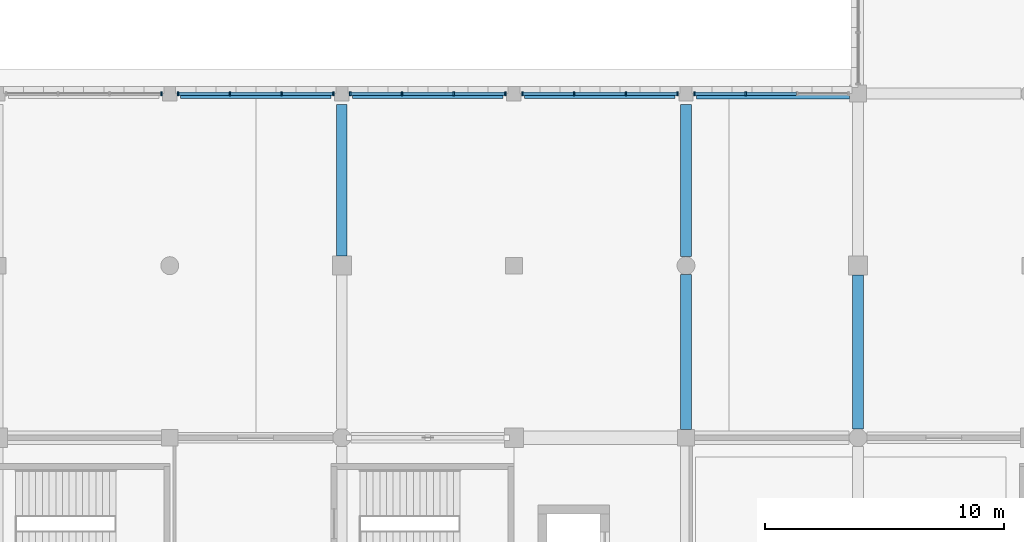
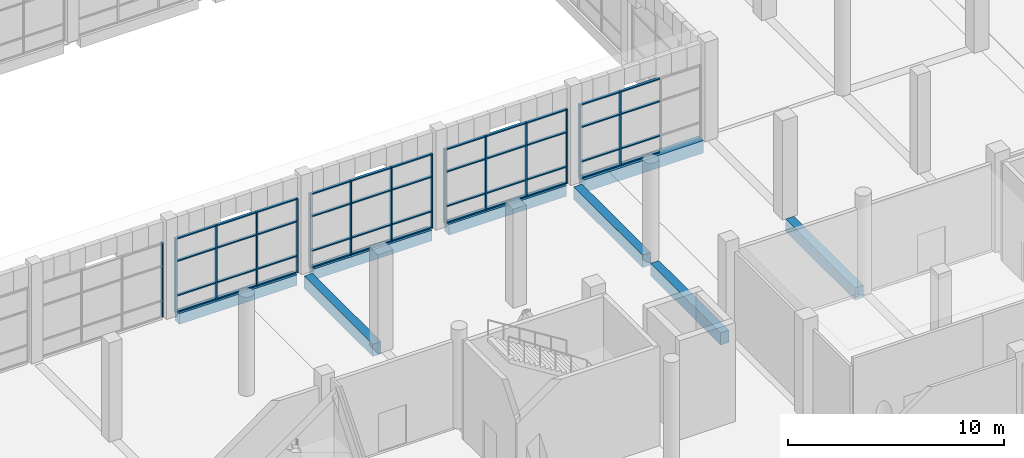
# One storey, part 18 of 80: 59 members, 8 beams, 5 elements without a shape of their own.
"""IFC4 building model written with IfcOpenShell, lengths in metres."""

from ifc_helpers import new_model, si_unit, direction, frame, origin, origin_2d, place, context, subcontext, project, spatial, rectangle, extrude, material, material_profile, profile_set, type_object, element, aggregate, save


model = new_model("IFC4")

# Units and contexts
model_context = context("Model", 3, precision=1e-05, world=origin(), true_north=direction((0.0, 1.0)))
body_context = subcontext(model_context, "Body", "Model", "MODEL_VIEW")
ifc_project = project(units=[si_unit("LENGTHUNIT", "METRE"), si_unit("AREAUNIT", "SQUARE_METRE"), si_unit("VOLUMEUNIT", "CUBIC_METRE"), si_unit("PLANEANGLEUNIT", "RADIAN"), si_unit("MASSUNIT", "GRAM", prefix="KILO")], contexts=[model_context])

# Site, building, storey
site_placement = place(None, origin())
site = spatial("IfcSite", under=ifc_project, at=site_placement, CompositionType="ELEMENT")
building_placement = place(site_placement, origin())
building = spatial("IfcBuilding", under=site, at=building_placement, Name="Sardonyx Promenade Sports Hall", CompositionType="ELEMENT")
storey_placement = place(building_placement, frame((0.0, 0.0, 5.60009765625)))
storey = spatial("IfcBuildingStorey", under=building, at=storey_placement, Name="L01", CompositionType="ELEMENT", Elevation=5.60009765625)

# Beams
ifc_material_1 = material(Name="Concrete C40/50", Category="concrete")
ifc_material_profile_1 = material_profile(ifc_material_1, rectangle(XDim=0.449951171875, YDim=0.699951171875, at=origin_2d()))
ifc_profile_set_1 = profile_set([ifc_material_profile_1], Name="Concrete C40/50")
beam_type_1 = type_object("IfcBeamType", Name="Bm_Primary_RC700", PredefinedType="BEAM", material=ifc_profile_set_1)
beam_1_placement = place(storey_placement, frame((86.85009765625, 43.199951171875, -0.35009765625), z_axis=(1.0, 0.0, 0.0), x_axis=(0.0, 1.0, 0.0)))
element("IfcBeam", 1, at=beam_1_placement, inside=storey, type_object=beam_type_1, Name="Beam BG01 L01 #240", PredefinedType="BEAM", context=body_context, shape_type="SweptSolid", body=[
    extrude(rectangle(XDim=0.449951171875, YDim=0.699951171875, at=origin_2d()), origin(), (0.0, 0.0, 1.0), 6.39990234375),
])
beam_2_placement = place(storey_placement, frame((72.0, 36.39990234375, -0.35009765625), z_axis=(0.0, 1.0, 0.0), x_axis=(-1.0, 0.0, 0.0)))
element("IfcBeam", 2, at=beam_2_placement, inside=storey, type_object=beam_type_1, Name="Beam BG01 L01 #344", PredefinedType="BEAM", context=body_context, shape_type="SweptSolid", body=[
    extrude(rectangle(XDim=0.449951171875, YDim=0.699951171875, at=origin_2d()), origin(), (0.0, 0.0, 1.0), 6.35009765625),
])
beam_3_placement = place(storey_placement, frame((86.39990234375, 29.14990234375, -0.35009765625), z_axis=(0.0, 1.0, 0.0), x_axis=(-1.0, 0.0, 0.0)))
element("IfcBeam", 3, at=beam_3_placement, inside=storey, type_object=beam_type_1, Name="Beam BG01 L01 #355", PredefinedType="BEAM", context=body_context, shape_type="SweptSolid", body=[
    extrude(rectangle(XDim=0.449951171875, YDim=0.699951171875, at=origin_2d()), origin(), (0.0, 0.0, 1.0), 6.47509765625),
])
beam_4_placement = place(storey_placement, frame((86.39990234375, 36.375, -0.35009765625), z_axis=(0.0, 1.0, 0.0), x_axis=(-1.0, 0.0, 0.0)))
element("IfcBeam", 4, at=beam_4_placement, inside=storey, type_object=beam_type_1, Name="Beam BG01 L01 #356", PredefinedType="BEAM", context=body_context, shape_type="SweptSolid", body=[
    extrude(rectangle(XDim=0.449951171875, YDim=0.699951171875, at=origin_2d()), origin(), (0.0, 0.0, 1.0), 6.375),
])
beam_5_placement = place(storey_placement, frame((93.60009765625, 29.175048828125, -0.35009765625), z_axis=(0.0, 1.0, 0.0), x_axis=(-1.0, 0.0, 0.0)))
element("IfcBeam", 5, at=beam_5_placement, inside=storey, type_object=beam_type_1, Name="Beam BG01 L01 #362", PredefinedType="BEAM", context=body_context, shape_type="SweptSolid", body=[
    extrude(rectangle(XDim=0.449951171875, YDim=0.699951171875, at=origin_2d()), origin(), (0.0, 0.0, 1.0), 6.425048828125),
])
ifc_material_2 = material(Name="Concrete C40/50", Category="concrete")
ifc_material_profile_2 = material_profile(ifc_material_2, rectangle(XDim=0.39990234375, YDim=0.60009765625, at=origin_2d()))
ifc_profile_set_2 = profile_set([ifc_material_profile_2], Name="Concrete C40/50")
beam_type_2 = type_object("IfcBeamType", Name="Bm_Spandrel_RC600", PredefinedType="SPANDREL", material=ifc_profile_set_2)
for number, where, z_axis, x_axis, name in (
    (6, (65.25, 43.199951171875, -0.300048828125), (1.0, 0.0, 0.0), (0.0, 1.0, 0.0), "Beam SPB1 L01 #237"),
    (7, (72.449951171875, 43.199951171875, -0.300048828125), (1.0, 0.0, 0.0), (0.0, 1.0, 0.0), "Beam SPB1 L01 #238"),
    (8, (79.64990234375, 43.199951171875, -0.300048828125), (1.0, 0.0, 0.0), (0.0, 1.0, 0.0), "Beam SPB1 L01 #239"),
):
    element("IfcBeam", number, at=place(storey_placement, frame(where, z_axis=z_axis, x_axis=x_axis)), inside=storey, type_object=beam_type_2, Name=name, PredefinedType="SPANDREL", context=body_context, shape_type="SweptSolid", body=[
        extrude(rectangle(XDim=0.39990234375, YDim=0.60009765625, at=origin_2d()), origin(), (0.0, 0.0, 1.0), 6.300048828125),
    ])

# Curtain wall, member
ifc_material_3 = material(Name="Aluminium 6063-T6", Category="aluminium")
curtain_wall_type = type_object("IfcCurtainWallType", Name="CW_Riwaq_L01_640", PredefinedType="USERDEFINED", material=ifc_material_3)
curtain_wall_1_placement = place(storey_placement, origin())
curtain_wall_1 = element("IfcCurtainWall", 9, at=curtain_wall_1_placement, inside=storey, type_object=curtain_wall_type, Name="Curtain wall CW18 cw:L01:130", ObjectType="CURTAIN WALL", PredefinedType="USERDEFINED")
ifc_material_4 = material(Name="Aluminium 6063-T6", Category="aluminium")
ifc_material_profile_3 = material_profile(ifc_material_4, rectangle(XDim=0.06494140625, YDim=0.175048828125, at=origin_2d()))
ifc_profile_set_3 = profile_set([ifc_material_profile_3], Name="Aluminium 6063-T6")
member_type_1 = type_object("IfcMemberType", Name="CW_Mull_175", PredefinedType="MULLION", material=ifc_profile_set_3)
member_1_placement = place(storey_placement, frame((64.447509765625, 43.199951171875, 0.0), z_axis=(0.0, 0.0, 1.0), x_axis=(1.0, 0.0, 0.0)))
member_1 = element("IfcMember", 10, at=member_1_placement, type_object=member_type_1, Name="Mullion CM02 cw:L01:130 #4", PredefinedType="MULLION", context=body_context, shape_type="SweptSolid", body=[
    extrude(rectangle(XDim=0.06494140625, YDim=0.175048828125, at=origin_2d()), origin(), (0.0, 0.0, 1.0), 4.199951171875),
])
aggregate(curtain_wall_1, [member_1])

# Curtain wall, members
curtain_wall_2_placement = place(storey_placement, origin())
curtain_wall_2 = element("IfcCurtainWall", 11, at=curtain_wall_2_placement, inside=storey, type_object=curtain_wall_type, Name="Curtain wall CW18 cw:L01:132", ObjectType="CURTAIN WALL", PredefinedType="USERDEFINED")
member_2_placement = place(storey_placement, frame((65.152587890625, 43.199951171875, 0.0), z_axis=(0.0, 0.0, 1.0), x_axis=(1.0, 0.0, 0.0)))
member_2 = element("IfcMember", 12, at=member_2_placement, type_object=member_type_1, Name="Mullion CM02 cw:L01:132 #1", PredefinedType="MULLION", context=body_context, shape_type="SweptSolid", body=[
    extrude(rectangle(XDim=0.06494140625, YDim=0.175048828125, at=origin_2d()), origin(), (0.0, 0.0, 1.0), 4.199951171875),
])
member_3_placement = place(storey_placement, frame((67.3173828125, 43.199951171875, 0.0), z_axis=(0.0, 0.0, 1.0), x_axis=(1.0, 0.0, 0.0)))
member_3 = element("IfcMember", 13, at=member_3_placement, type_object=member_type_1, Name="Mullion CM02 cw:L01:132 #2", PredefinedType="MULLION", context=body_context, shape_type="SweptSolid", body=[
    extrude(rectangle(XDim=0.06494140625, YDim=0.175048828125, at=origin_2d()), origin(), (0.0, 0.0, 1.0), 4.199951171875),
])
member_4_placement = place(storey_placement, frame((69.482421875, 43.199951171875, 0.0), z_axis=(0.0, 0.0, 1.0), x_axis=(1.0, 0.0, 0.0)))
member_4 = element("IfcMember", 14, at=member_4_placement, type_object=member_type_1, Name="Mullion CM02 cw:L01:132 #3", PredefinedType="MULLION", context=body_context, shape_type="SweptSolid", body=[
    extrude(rectangle(XDim=0.06494140625, YDim=0.175048828125, at=origin_2d()), origin(), (0.0, 0.0, 1.0), 4.199951171875),
])
member_5_placement = place(storey_placement, frame((71.6474609375, 43.199951171875, 0.0), z_axis=(0.0, 0.0, 1.0), x_axis=(1.0, 0.0, 0.0)))
member_5 = element("IfcMember", 15, at=member_5_placement, type_object=member_type_1, Name="Mullion CM02 cw:L01:132 #4", PredefinedType="MULLION", context=body_context, shape_type="SweptSolid", body=[
    extrude(rectangle(XDim=0.06494140625, YDim=0.175048828125, at=origin_2d()), origin(), (0.0, 0.0, 1.0), 4.199951171875),
])

curtain_wall_3_placement = place(storey_placement, origin())
curtain_wall_3 = element("IfcCurtainWall", 16, at=curtain_wall_3_placement, inside=storey, type_object=curtain_wall_type, Name="Curtain wall CW18 cw:L01:134", ObjectType="CURTAIN WALL", PredefinedType="USERDEFINED")
member_6_placement = place(storey_placement, frame((72.3525390625, 43.199951171875, 0.0), z_axis=(0.0, 0.0, 1.0), x_axis=(1.0, 0.0, 0.0)))
member_6 = element("IfcMember", 17, at=member_6_placement, type_object=member_type_1, Name="Mullion CM02 cw:L01:134 #1", PredefinedType="MULLION", context=body_context, shape_type="SweptSolid", body=[
    extrude(rectangle(XDim=0.06494140625, YDim=0.175048828125, at=origin_2d()), origin(), (0.0, 0.0, 1.0), 4.199951171875),
])
member_7_placement = place(storey_placement, frame((74.517578125, 43.199951171875, 0.0), z_axis=(0.0, 0.0, 1.0), x_axis=(1.0, 0.0, 0.0)))
member_7 = element("IfcMember", 18, at=member_7_placement, type_object=member_type_1, Name="Mullion CM02 cw:L01:134 #2", PredefinedType="MULLION", context=body_context, shape_type="SweptSolid", body=[
    extrude(rectangle(XDim=0.06494140625, YDim=0.175048828125, at=origin_2d()), origin(), (0.0, 0.0, 1.0), 4.199951171875),
])
member_8_placement = place(storey_placement, frame((76.6826171875, 43.199951171875, 0.0), z_axis=(0.0, 0.0, 1.0), x_axis=(1.0, 0.0, 0.0)))
member_8 = element("IfcMember", 19, at=member_8_placement, type_object=member_type_1, Name="Mullion CM02 cw:L01:134 #3", PredefinedType="MULLION", context=body_context, shape_type="SweptSolid", body=[
    extrude(rectangle(XDim=0.06494140625, YDim=0.175048828125, at=origin_2d()), origin(), (0.0, 0.0, 1.0), 4.199951171875),
])
member_9_placement = place(storey_placement, frame((78.847412109375, 43.199951171875, 0.0), z_axis=(0.0, 0.0, 1.0), x_axis=(1.0, 0.0, 0.0)))
member_9 = element("IfcMember", 20, at=member_9_placement, type_object=member_type_1, Name="Mullion CM02 cw:L01:134 #4", PredefinedType="MULLION", context=body_context, shape_type="SweptSolid", body=[
    extrude(rectangle(XDim=0.06494140625, YDim=0.175048828125, at=origin_2d()), origin(), (0.0, 0.0, 1.0), 4.199951171875),
])

curtain_wall_4_placement = place(storey_placement, origin())
curtain_wall_4 = element("IfcCurtainWall", 21, at=curtain_wall_4_placement, inside=storey, type_object=curtain_wall_type, Name="Curtain wall CW18 cw:L01:136", ObjectType="CURTAIN WALL", PredefinedType="USERDEFINED")
member_10_placement = place(storey_placement, frame((79.552490234375, 43.199951171875, 0.0), z_axis=(0.0, 0.0, 1.0), x_axis=(1.0, 0.0, 0.0)))
member_10 = element("IfcMember", 22, at=member_10_placement, type_object=member_type_1, Name="Mullion CM02 cw:L01:136 #1", PredefinedType="MULLION", context=body_context, shape_type="SweptSolid", body=[
    extrude(rectangle(XDim=0.06494140625, YDim=0.175048828125, at=origin_2d()), origin(), (0.0, 0.0, 1.0), 4.199951171875),
])
member_11_placement = place(storey_placement, frame((81.717529296875, 43.199951171875, 0.0), z_axis=(0.0, 0.0, 1.0), x_axis=(1.0, 0.0, 0.0)))
member_11 = element("IfcMember", 23, at=member_11_placement, type_object=member_type_1, Name="Mullion CM02 cw:L01:136 #2", PredefinedType="MULLION", context=body_context, shape_type="SweptSolid", body=[
    extrude(rectangle(XDim=0.06494140625, YDim=0.175048828125, at=origin_2d()), origin(), (0.0, 0.0, 1.0), 4.199951171875),
])
member_12_placement = place(storey_placement, frame((83.882568359375, 43.199951171875, 0.0), z_axis=(0.0, 0.0, 1.0), x_axis=(1.0, 0.0, 0.0)))
member_12 = element("IfcMember", 24, at=member_12_placement, type_object=member_type_1, Name="Mullion CM02 cw:L01:136 #3", PredefinedType="MULLION", context=body_context, shape_type="SweptSolid", body=[
    extrude(rectangle(XDim=0.06494140625, YDim=0.175048828125, at=origin_2d()), origin(), (0.0, 0.0, 1.0), 4.199951171875),
])
member_13_placement = place(storey_placement, frame((86.047607421875, 43.199951171875, 0.0), z_axis=(0.0, 0.0, 1.0), x_axis=(1.0, 0.0, 0.0)))
member_13 = element("IfcMember", 25, at=member_13_placement, type_object=member_type_1, Name="Mullion CM02 cw:L01:136 #4", PredefinedType="MULLION", context=body_context, shape_type="SweptSolid", body=[
    extrude(rectangle(XDim=0.06494140625, YDim=0.175048828125, at=origin_2d()), origin(), (0.0, 0.0, 1.0), 4.199951171875),
])

curtain_wall_5_placement = place(storey_placement, origin())
curtain_wall_5 = element("IfcCurtainWall", 26, at=curtain_wall_5_placement, inside=storey, type_object=curtain_wall_type, Name="Curtain wall CW18 cw:L01:138", ObjectType="CURTAIN WALL", PredefinedType="USERDEFINED")
member_14_placement = place(storey_placement, frame((86.75244140625, 43.199951171875, 0.0), z_axis=(0.0, 0.0, 1.0), x_axis=(1.0, 0.0, 0.0)))
member_14 = element("IfcMember", 27, at=member_14_placement, type_object=member_type_1, Name="Mullion CM02 cw:L01:138 #1", PredefinedType="MULLION", context=body_context, shape_type="SweptSolid", body=[
    extrude(rectangle(XDim=0.06494140625, YDim=0.175048828125, at=origin_2d()), origin(), (0.0, 0.0, 1.0), 4.199951171875),
])
member_15_placement = place(storey_placement, frame((88.90087890625, 43.199951171875, 0.0), z_axis=(0.0, 0.0, 1.0), x_axis=(1.0, 0.0, 0.0)))
member_15 = element("IfcMember", 28, at=member_15_placement, type_object=member_type_1, Name="Mullion CM02 cw:L01:138 #2", PredefinedType="MULLION", context=body_context, shape_type="SweptSolid", body=[
    extrude(rectangle(XDim=0.06494140625, YDim=0.175048828125, at=origin_2d()), origin(), (0.0, 0.0, 1.0), 4.199951171875),
])

# Member
ifc_material_5 = material(Name="Aluminium 6063-T6", Category="aluminium")
ifc_material_profile_4 = material_profile(ifc_material_5, rectangle(XDim=0.06494140625, YDim=0.139892578125, at=origin_2d()))
ifc_profile_set_4 = profile_set([ifc_material_profile_4], Name="Aluminium 6063-T6")
member_type_2 = type_object("IfcMemberType", Name="CW_Tran_140", PredefinedType="USERDEFINED", material=ifc_profile_set_4)
member_16_placement = place(storey_placement, frame((65.18505859375, 43.199951171875, 0.032470703125), z_axis=(1.0, 0.0, 0.0), x_axis=(0.0, 0.0, 1.0)))
member_16 = element("IfcMember", 29, at=member_16_placement, type_object=member_type_2, Name="Transom CT02 cw:L01:132 #1", ObjectType="TRANSOM", PredefinedType="USERDEFINED", context=body_context, shape_type="SweptSolid", body=[
    extrude(rectangle(XDim=0.06494140625, YDim=0.139892578125, at=origin_2d()), origin(), (0.0, 0.0, 1.0), 2.099853515625),
])

member_17_placement = place(storey_placement, frame((65.18505859375, 43.199951171875, 0.949951171875), z_axis=(1.0, 0.0, 0.0), x_axis=(0.0, 0.0, 1.0)))
member_17 = element("IfcMember", 30, at=member_17_placement, type_object=member_type_2, Name="Transom CT02 cw:L01:132 #2", ObjectType="TRANSOM", PredefinedType="USERDEFINED", context=body_context, shape_type="SweptSolid", body=[
    extrude(rectangle(XDim=0.06494140625, YDim=0.139892578125, at=origin_2d()), origin(), (0.0, 0.0, 1.0), 2.099853515625),
])

member_18_placement = place(storey_placement, frame((65.18505859375, 43.199951171875, 2.89990234375), z_axis=(1.0, 0.0, 0.0), x_axis=(0.0, 0.0, 1.0)))
member_18 = element("IfcMember", 31, at=member_18_placement, type_object=member_type_2, Name="Transom CT02 cw:L01:132 #3", ObjectType="TRANSOM", PredefinedType="USERDEFINED", context=body_context, shape_type="SweptSolid", body=[
    extrude(rectangle(XDim=0.06494140625, YDim=0.139892578125, at=origin_2d()), origin(), (0.0, 0.0, 1.0), 2.099853515625),
])

member_19_placement = place(storey_placement, frame((65.18505859375, 43.199951171875, 4.16748046875), z_axis=(1.0, 0.0, 0.0), x_axis=(0.0, 0.0, 1.0)))
member_19 = element("IfcMember", 32, at=member_19_placement, type_object=member_type_2, Name="Transom CT02 cw:L01:132 #4", ObjectType="TRANSOM", PredefinedType="USERDEFINED", context=body_context, shape_type="SweptSolid", body=[
    extrude(rectangle(XDim=0.06494140625, YDim=0.139892578125, at=origin_2d()), origin(), (0.0, 0.0, 1.0), 2.099853515625),
])

member_20_placement = place(storey_placement, frame((67.35009765625, 43.199951171875, 0.032470703125), z_axis=(1.0, 0.0, 0.0), x_axis=(0.0, 0.0, 1.0)))
member_20 = element("IfcMember", 33, at=member_20_placement, type_object=member_type_2, Name="Transom CT02 cw:L01:132 #5", ObjectType="TRANSOM", PredefinedType="USERDEFINED", context=body_context, shape_type="SweptSolid", body=[
    extrude(rectangle(XDim=0.06494140625, YDim=0.139892578125, at=origin_2d()), origin(), (0.0, 0.0, 1.0), 2.099853515625),
])

member_21_placement = place(storey_placement, frame((67.35009765625, 43.199951171875, 0.949951171875), z_axis=(1.0, 0.0, 0.0), x_axis=(0.0, 0.0, 1.0)))
member_21 = element("IfcMember", 34, at=member_21_placement, type_object=member_type_2, Name="Transom CT02 cw:L01:132 #6", ObjectType="TRANSOM", PredefinedType="USERDEFINED", context=body_context, shape_type="SweptSolid", body=[
    extrude(rectangle(XDim=0.06494140625, YDim=0.139892578125, at=origin_2d()), origin(), (0.0, 0.0, 1.0), 2.099853515625),
])

member_22_placement = place(storey_placement, frame((67.35009765625, 43.199951171875, 2.89990234375), z_axis=(1.0, 0.0, 0.0), x_axis=(0.0, 0.0, 1.0)))
member_22 = element("IfcMember", 35, at=member_22_placement, type_object=member_type_2, Name="Transom CT02 cw:L01:132 #7", ObjectType="TRANSOM", PredefinedType="USERDEFINED", context=body_context, shape_type="SweptSolid", body=[
    extrude(rectangle(XDim=0.06494140625, YDim=0.139892578125, at=origin_2d()), origin(), (0.0, 0.0, 1.0), 2.099853515625),
])

member_23_placement = place(storey_placement, frame((67.35009765625, 43.199951171875, 4.16748046875), z_axis=(1.0, 0.0, 0.0), x_axis=(0.0, 0.0, 1.0)))
member_23 = element("IfcMember", 36, at=member_23_placement, type_object=member_type_2, Name="Transom CT02 cw:L01:132 #8", ObjectType="TRANSOM", PredefinedType="USERDEFINED", context=body_context, shape_type="SweptSolid", body=[
    extrude(rectangle(XDim=0.06494140625, YDim=0.139892578125, at=origin_2d()), origin(), (0.0, 0.0, 1.0), 2.099853515625),
])

member_24_placement = place(storey_placement, frame((69.514892578125, 43.199951171875, 0.032470703125), z_axis=(1.0, 0.0, 0.0), x_axis=(0.0, 0.0, 1.0)))
member_24 = element("IfcMember", 37, at=member_24_placement, type_object=member_type_2, Name="Transom CT02 cw:L01:132 #9", ObjectType="TRANSOM", PredefinedType="USERDEFINED", context=body_context, shape_type="SweptSolid", body=[
    extrude(rectangle(XDim=0.06494140625, YDim=0.139892578125, at=origin_2d()), origin(), (0.0, 0.0, 1.0), 2.10009765625),
])

member_25_placement = place(storey_placement, frame((69.514892578125, 43.199951171875, 0.949951171875), z_axis=(1.0, 0.0, 0.0), x_axis=(0.0, 0.0, 1.0)))
member_25 = element("IfcMember", 38, at=member_25_placement, type_object=member_type_2, Name="Transom CT02 cw:L01:132 #10", ObjectType="TRANSOM", PredefinedType="USERDEFINED", context=body_context, shape_type="SweptSolid", body=[
    extrude(rectangle(XDim=0.06494140625, YDim=0.139892578125, at=origin_2d()), origin(), (0.0, 0.0, 1.0), 2.10009765625),
])

member_26_placement = place(storey_placement, frame((69.514892578125, 43.199951171875, 2.89990234375), z_axis=(1.0, 0.0, 0.0), x_axis=(0.0, 0.0, 1.0)))
member_26 = element("IfcMember", 39, at=member_26_placement, type_object=member_type_2, Name="Transom CT02 cw:L01:132 #11", ObjectType="TRANSOM", PredefinedType="USERDEFINED", context=body_context, shape_type="SweptSolid", body=[
    extrude(rectangle(XDim=0.06494140625, YDim=0.139892578125, at=origin_2d()), origin(), (0.0, 0.0, 1.0), 2.10009765625),
])

member_27_placement = place(storey_placement, frame((69.514892578125, 43.199951171875, 4.16748046875), z_axis=(1.0, 0.0, 0.0), x_axis=(0.0, 0.0, 1.0)))
member_27 = element("IfcMember", 40, at=member_27_placement, type_object=member_type_2, Name="Transom CT02 cw:L01:132 #12", ObjectType="TRANSOM", PredefinedType="USERDEFINED", context=body_context, shape_type="SweptSolid", body=[
    extrude(rectangle(XDim=0.06494140625, YDim=0.139892578125, at=origin_2d()), origin(), (0.0, 0.0, 1.0), 2.10009765625),
])

aggregate(curtain_wall_2, [member_2, member_3, member_4, member_5, member_16, member_17, member_18, member_19, member_20, member_21, member_22, member_23, member_24, member_25, member_26, member_27])

member_28_placement = place(storey_placement, frame((72.385009765625, 43.199951171875, 0.032470703125), z_axis=(1.0, 0.0, 0.0), x_axis=(0.0, 0.0, 1.0)))
member_28 = element("IfcMember", 41, at=member_28_placement, type_object=member_type_2, Name="Transom CT02 cw:L01:134 #1", ObjectType="TRANSOM", PredefinedType="USERDEFINED", context=body_context, shape_type="SweptSolid", body=[
    extrude(rectangle(XDim=0.06494140625, YDim=0.139892578125, at=origin_2d()), origin(), (0.0, 0.0, 1.0), 2.10009765625),
])

member_29_placement = place(storey_placement, frame((72.385009765625, 43.199951171875, 0.949951171875), z_axis=(1.0, 0.0, 0.0), x_axis=(0.0, 0.0, 1.0)))
member_29 = element("IfcMember", 42, at=member_29_placement, type_object=member_type_2, Name="Transom CT02 cw:L01:134 #2", ObjectType="TRANSOM", PredefinedType="USERDEFINED", context=body_context, shape_type="SweptSolid", body=[
    extrude(rectangle(XDim=0.06494140625, YDim=0.139892578125, at=origin_2d()), origin(), (0.0, 0.0, 1.0), 2.10009765625),
])

member_30_placement = place(storey_placement, frame((72.385009765625, 43.199951171875, 2.89990234375), z_axis=(1.0, 0.0, 0.0), x_axis=(0.0, 0.0, 1.0)))
member_30 = element("IfcMember", 43, at=member_30_placement, type_object=member_type_2, Name="Transom CT02 cw:L01:134 #3", ObjectType="TRANSOM", PredefinedType="USERDEFINED", context=body_context, shape_type="SweptSolid", body=[
    extrude(rectangle(XDim=0.06494140625, YDim=0.139892578125, at=origin_2d()), origin(), (0.0, 0.0, 1.0), 2.10009765625),
])

member_31_placement = place(storey_placement, frame((72.385009765625, 43.199951171875, 4.16748046875), z_axis=(1.0, 0.0, 0.0), x_axis=(0.0, 0.0, 1.0)))
member_31 = element("IfcMember", 44, at=member_31_placement, type_object=member_type_2, Name="Transom CT02 cw:L01:134 #4", ObjectType="TRANSOM", PredefinedType="USERDEFINED", context=body_context, shape_type="SweptSolid", body=[
    extrude(rectangle(XDim=0.06494140625, YDim=0.139892578125, at=origin_2d()), origin(), (0.0, 0.0, 1.0), 2.10009765625),
])

member_32_placement = place(storey_placement, frame((74.550048828125, 43.199951171875, 0.032470703125), z_axis=(1.0, 0.0, 0.0), x_axis=(0.0, 0.0, 1.0)))
member_32 = element("IfcMember", 45, at=member_32_placement, type_object=member_type_2, Name="Transom CT02 cw:L01:134 #5", ObjectType="TRANSOM", PredefinedType="USERDEFINED", context=body_context, shape_type="SweptSolid", body=[
    extrude(rectangle(XDim=0.06494140625, YDim=0.139892578125, at=origin_2d()), origin(), (0.0, 0.0, 1.0), 2.099853515625),
])

member_33_placement = place(storey_placement, frame((74.550048828125, 43.199951171875, 0.949951171875), z_axis=(1.0, 0.0, 0.0), x_axis=(0.0, 0.0, 1.0)))
member_33 = element("IfcMember", 46, at=member_33_placement, type_object=member_type_2, Name="Transom CT02 cw:L01:134 #6", ObjectType="TRANSOM", PredefinedType="USERDEFINED", context=body_context, shape_type="SweptSolid", body=[
    extrude(rectangle(XDim=0.06494140625, YDim=0.139892578125, at=origin_2d()), origin(), (0.0, 0.0, 1.0), 2.099853515625),
])

member_34_placement = place(storey_placement, frame((74.550048828125, 43.199951171875, 2.89990234375), z_axis=(1.0, 0.0, 0.0), x_axis=(0.0, 0.0, 1.0)))
member_34 = element("IfcMember", 47, at=member_34_placement, type_object=member_type_2, Name="Transom CT02 cw:L01:134 #7", ObjectType="TRANSOM", PredefinedType="USERDEFINED", context=body_context, shape_type="SweptSolid", body=[
    extrude(rectangle(XDim=0.06494140625, YDim=0.139892578125, at=origin_2d()), origin(), (0.0, 0.0, 1.0), 2.099853515625),
])

member_35_placement = place(storey_placement, frame((74.550048828125, 43.199951171875, 4.16748046875), z_axis=(1.0, 0.0, 0.0), x_axis=(0.0, 0.0, 1.0)))
member_35 = element("IfcMember", 48, at=member_35_placement, type_object=member_type_2, Name="Transom CT02 cw:L01:134 #8", ObjectType="TRANSOM", PredefinedType="USERDEFINED", context=body_context, shape_type="SweptSolid", body=[
    extrude(rectangle(XDim=0.06494140625, YDim=0.139892578125, at=origin_2d()), origin(), (0.0, 0.0, 1.0), 2.099853515625),
])

member_36_placement = place(storey_placement, frame((76.715087890625, 43.199951171875, 0.032470703125), z_axis=(1.0, 0.0, 0.0), x_axis=(0.0, 0.0, 1.0)))
member_36 = element("IfcMember", 49, at=member_36_placement, type_object=member_type_2, Name="Transom CT02 cw:L01:134 #9", ObjectType="TRANSOM", PredefinedType="USERDEFINED", context=body_context, shape_type="SweptSolid", body=[
    extrude(rectangle(XDim=0.06494140625, YDim=0.139892578125, at=origin_2d()), origin(), (0.0, 0.0, 1.0), 2.099853515625),
])

member_37_placement = place(storey_placement, frame((76.715087890625, 43.199951171875, 0.949951171875), z_axis=(1.0, 0.0, 0.0), x_axis=(0.0, 0.0, 1.0)))
member_37 = element("IfcMember", 50, at=member_37_placement, type_object=member_type_2, Name="Transom CT02 cw:L01:134 #10", ObjectType="TRANSOM", PredefinedType="USERDEFINED", context=body_context, shape_type="SweptSolid", body=[
    extrude(rectangle(XDim=0.06494140625, YDim=0.139892578125, at=origin_2d()), origin(), (0.0, 0.0, 1.0), 2.099853515625),
])

member_38_placement = place(storey_placement, frame((76.715087890625, 43.199951171875, 2.89990234375), z_axis=(1.0, 0.0, 0.0), x_axis=(0.0, 0.0, 1.0)))
member_38 = element("IfcMember", 51, at=member_38_placement, type_object=member_type_2, Name="Transom CT02 cw:L01:134 #11", ObjectType="TRANSOM", PredefinedType="USERDEFINED", context=body_context, shape_type="SweptSolid", body=[
    extrude(rectangle(XDim=0.06494140625, YDim=0.139892578125, at=origin_2d()), origin(), (0.0, 0.0, 1.0), 2.099853515625),
])

member_39_placement = place(storey_placement, frame((76.715087890625, 43.199951171875, 4.16748046875), z_axis=(1.0, 0.0, 0.0), x_axis=(0.0, 0.0, 1.0)))
member_39 = element("IfcMember", 52, at=member_39_placement, type_object=member_type_2, Name="Transom CT02 cw:L01:134 #12", ObjectType="TRANSOM", PredefinedType="USERDEFINED", context=body_context, shape_type="SweptSolid", body=[
    extrude(rectangle(XDim=0.06494140625, YDim=0.139892578125, at=origin_2d()), origin(), (0.0, 0.0, 1.0), 2.099853515625),
])

aggregate(curtain_wall_3, [member_6, member_7, member_8, member_9, member_28, member_29, member_30, member_31, member_32, member_33, member_34, member_35, member_36, member_37, member_38, member_39])

member_40_placement = place(storey_placement, frame((79.5849609375, 43.199951171875, 0.032470703125), z_axis=(1.0, 0.0, 0.0), x_axis=(0.0, 0.0, 1.0)))
member_40 = element("IfcMember", 53, at=member_40_placement, type_object=member_type_2, Name="Transom CT02 cw:L01:136 #1", ObjectType="TRANSOM", PredefinedType="USERDEFINED", context=body_context, shape_type="SweptSolid", body=[
    extrude(rectangle(XDim=0.06494140625, YDim=0.139892578125, at=origin_2d()), origin(), (0.0, 0.0, 1.0), 2.10009765625),
])

member_41_placement = place(storey_placement, frame((79.5849609375, 43.199951171875, 0.949951171875), z_axis=(1.0, 0.0, 0.0), x_axis=(0.0, 0.0, 1.0)))
member_41 = element("IfcMember", 54, at=member_41_placement, type_object=member_type_2, Name="Transom CT02 cw:L01:136 #2", ObjectType="TRANSOM", PredefinedType="USERDEFINED", context=body_context, shape_type="SweptSolid", body=[
    extrude(rectangle(XDim=0.06494140625, YDim=0.139892578125, at=origin_2d()), origin(), (0.0, 0.0, 1.0), 2.10009765625),
])

member_42_placement = place(storey_placement, frame((79.5849609375, 43.199951171875, 2.89990234375), z_axis=(1.0, 0.0, 0.0), x_axis=(0.0, 0.0, 1.0)))
member_42 = element("IfcMember", 55, at=member_42_placement, type_object=member_type_2, Name="Transom CT02 cw:L01:136 #3", ObjectType="TRANSOM", PredefinedType="USERDEFINED", context=body_context, shape_type="SweptSolid", body=[
    extrude(rectangle(XDim=0.06494140625, YDim=0.139892578125, at=origin_2d()), origin(), (0.0, 0.0, 1.0), 2.10009765625),
])

member_43_placement = place(storey_placement, frame((79.5849609375, 43.199951171875, 4.16748046875), z_axis=(1.0, 0.0, 0.0), x_axis=(0.0, 0.0, 1.0)))
member_43 = element("IfcMember", 56, at=member_43_placement, type_object=member_type_2, Name="Transom CT02 cw:L01:136 #4", ObjectType="TRANSOM", PredefinedType="USERDEFINED", context=body_context, shape_type="SweptSolid", body=[
    extrude(rectangle(XDim=0.06494140625, YDim=0.139892578125, at=origin_2d()), origin(), (0.0, 0.0, 1.0), 2.10009765625),
])

member_44_placement = place(storey_placement, frame((81.75, 43.199951171875, 0.032470703125), z_axis=(1.0, 0.0, 0.0), x_axis=(0.0, 0.0, 1.0)))
member_44 = element("IfcMember", 57, at=member_44_placement, type_object=member_type_2, Name="Transom CT02 cw:L01:136 #5", ObjectType="TRANSOM", PredefinedType="USERDEFINED", context=body_context, shape_type="SweptSolid", body=[
    extrude(rectangle(XDim=0.06494140625, YDim=0.139892578125, at=origin_2d()), origin(), (0.0, 0.0, 1.0), 2.10009765625),
])

member_45_placement = place(storey_placement, frame((81.75, 43.199951171875, 0.949951171875), z_axis=(1.0, 0.0, 0.0), x_axis=(0.0, 0.0, 1.0)))
member_45 = element("IfcMember", 58, at=member_45_placement, type_object=member_type_2, Name="Transom CT02 cw:L01:136 #6", ObjectType="TRANSOM", PredefinedType="USERDEFINED", context=body_context, shape_type="SweptSolid", body=[
    extrude(rectangle(XDim=0.06494140625, YDim=0.139892578125, at=origin_2d()), origin(), (0.0, 0.0, 1.0), 2.10009765625),
])

member_46_placement = place(storey_placement, frame((81.75, 43.199951171875, 2.89990234375), z_axis=(1.0, 0.0, 0.0), x_axis=(0.0, 0.0, 1.0)))
member_46 = element("IfcMember", 59, at=member_46_placement, type_object=member_type_2, Name="Transom CT02 cw:L01:136 #7", ObjectType="TRANSOM", PredefinedType="USERDEFINED", context=body_context, shape_type="SweptSolid", body=[
    extrude(rectangle(XDim=0.06494140625, YDim=0.139892578125, at=origin_2d()), origin(), (0.0, 0.0, 1.0), 2.10009765625),
])

member_47_placement = place(storey_placement, frame((81.75, 43.199951171875, 4.16748046875), z_axis=(1.0, 0.0, 0.0), x_axis=(0.0, 0.0, 1.0)))
member_47 = element("IfcMember", 60, at=member_47_placement, type_object=member_type_2, Name="Transom CT02 cw:L01:136 #8", ObjectType="TRANSOM", PredefinedType="USERDEFINED", context=body_context, shape_type="SweptSolid", body=[
    extrude(rectangle(XDim=0.06494140625, YDim=0.139892578125, at=origin_2d()), origin(), (0.0, 0.0, 1.0), 2.10009765625),
])

member_48_placement = place(storey_placement, frame((83.9150390625, 43.199951171875, 0.032470703125), z_axis=(1.0, 0.0, 0.0), x_axis=(0.0, 0.0, 1.0)))
member_48 = element("IfcMember", 61, at=member_48_placement, type_object=member_type_2, Name="Transom CT02 cw:L01:136 #9", ObjectType="TRANSOM", PredefinedType="USERDEFINED", context=body_context, shape_type="SweptSolid", body=[
    extrude(rectangle(XDim=0.06494140625, YDim=0.139892578125, at=origin_2d()), origin(), (0.0, 0.0, 1.0), 2.099853515625),
])

member_49_placement = place(storey_placement, frame((83.9150390625, 43.199951171875, 0.949951171875), z_axis=(1.0, 0.0, 0.0), x_axis=(0.0, 0.0, 1.0)))
member_49 = element("IfcMember", 62, at=member_49_placement, type_object=member_type_2, Name="Transom CT02 cw:L01:136 #10", ObjectType="TRANSOM", PredefinedType="USERDEFINED", context=body_context, shape_type="SweptSolid", body=[
    extrude(rectangle(XDim=0.06494140625, YDim=0.139892578125, at=origin_2d()), origin(), (0.0, 0.0, 1.0), 2.099853515625),
])

member_50_placement = place(storey_placement, frame((83.9150390625, 43.199951171875, 2.89990234375), z_axis=(1.0, 0.0, 0.0), x_axis=(0.0, 0.0, 1.0)))
member_50 = element("IfcMember", 63, at=member_50_placement, type_object=member_type_2, Name="Transom CT02 cw:L01:136 #11", ObjectType="TRANSOM", PredefinedType="USERDEFINED", context=body_context, shape_type="SweptSolid", body=[
    extrude(rectangle(XDim=0.06494140625, YDim=0.139892578125, at=origin_2d()), origin(), (0.0, 0.0, 1.0), 2.099853515625),
])

member_51_placement = place(storey_placement, frame((83.9150390625, 43.199951171875, 4.16748046875), z_axis=(1.0, 0.0, 0.0), x_axis=(0.0, 0.0, 1.0)))
member_51 = element("IfcMember", 64, at=member_51_placement, type_object=member_type_2, Name="Transom CT02 cw:L01:136 #12", ObjectType="TRANSOM", PredefinedType="USERDEFINED", context=body_context, shape_type="SweptSolid", body=[
    extrude(rectangle(XDim=0.06494140625, YDim=0.139892578125, at=origin_2d()), origin(), (0.0, 0.0, 1.0), 2.099853515625),
])

aggregate(curtain_wall_4, [member_10, member_11, member_12, member_13, member_40, member_41, member_42, member_43, member_44, member_45, member_46, member_47, member_48, member_49, member_50, member_51])

member_52_placement = place(storey_placement, frame((86.784912109375, 43.199951171875, 0.032470703125), z_axis=(1.0, 0.0, 0.0), x_axis=(0.0, 0.0, 1.0)))
member_52 = element("IfcMember", 65, at=member_52_placement, type_object=member_type_2, Name="Transom CT02 cw:L01:138 #1", ObjectType="TRANSOM", PredefinedType="USERDEFINED", context=body_context, shape_type="SweptSolid", body=[
    extrude(rectangle(XDim=0.06494140625, YDim=0.139892578125, at=origin_2d()), origin(), (0.0, 0.0, 1.0), 2.08349609375),
])

member_53_placement = place(storey_placement, frame((86.784912109375, 43.199951171875, 0.949951171875), z_axis=(1.0, 0.0, 0.0), x_axis=(0.0, 0.0, 1.0)))
member_53 = element("IfcMember", 66, at=member_53_placement, type_object=member_type_2, Name="Transom CT02 cw:L01:138 #2", ObjectType="TRANSOM", PredefinedType="USERDEFINED", context=body_context, shape_type="SweptSolid", body=[
    extrude(rectangle(XDim=0.06494140625, YDim=0.139892578125, at=origin_2d()), origin(), (0.0, 0.0, 1.0), 2.08349609375),
])

member_54_placement = place(storey_placement, frame((86.784912109375, 43.199951171875, 2.89990234375), z_axis=(1.0, 0.0, 0.0), x_axis=(0.0, 0.0, 1.0)))
member_54 = element("IfcMember", 67, at=member_54_placement, type_object=member_type_2, Name="Transom CT02 cw:L01:138 #3", ObjectType="TRANSOM", PredefinedType="USERDEFINED", context=body_context, shape_type="SweptSolid", body=[
    extrude(rectangle(XDim=0.06494140625, YDim=0.139892578125, at=origin_2d()), origin(), (0.0, 0.0, 1.0), 2.08349609375),
])

member_55_placement = place(storey_placement, frame((86.784912109375, 43.199951171875, 4.16748046875), z_axis=(1.0, 0.0, 0.0), x_axis=(0.0, 0.0, 1.0)))
member_55 = element("IfcMember", 68, at=member_55_placement, type_object=member_type_2, Name="Transom CT02 cw:L01:138 #4", ObjectType="TRANSOM", PredefinedType="USERDEFINED", context=body_context, shape_type="SweptSolid", body=[
    extrude(rectangle(XDim=0.06494140625, YDim=0.139892578125, at=origin_2d()), origin(), (0.0, 0.0, 1.0), 2.08349609375),
])

member_56_placement = place(storey_placement, frame((88.933349609375, 43.199951171875, 0.032470703125), z_axis=(1.0, 0.0, 0.0), x_axis=(0.0, 0.0, 1.0)))
member_56 = element("IfcMember", 69, at=member_56_placement, type_object=member_type_2, Name="Transom CT02 cw:L01:138 #5", ObjectType="TRANSOM", PredefinedType="USERDEFINED", context=body_context, shape_type="SweptSolid", body=[
    extrude(rectangle(XDim=0.06494140625, YDim=0.139892578125, at=origin_2d()), origin(), (0.0, 0.0, 1.0), 2.083251953125),
])

member_57_placement = place(storey_placement, frame((88.933349609375, 43.199951171875, 0.949951171875), z_axis=(1.0, 0.0, 0.0), x_axis=(0.0, 0.0, 1.0)))
member_57 = element("IfcMember", 70, at=member_57_placement, type_object=member_type_2, Name="Transom CT02 cw:L01:138 #6", ObjectType="TRANSOM", PredefinedType="USERDEFINED", context=body_context, shape_type="SweptSolid", body=[
    extrude(rectangle(XDim=0.06494140625, YDim=0.139892578125, at=origin_2d()), origin(), (0.0, 0.0, 1.0), 2.083251953125),
])

member_58_placement = place(storey_placement, frame((88.933349609375, 43.199951171875, 2.89990234375), z_axis=(1.0, 0.0, 0.0), x_axis=(0.0, 0.0, 1.0)))
member_58 = element("IfcMember", 71, at=member_58_placement, type_object=member_type_2, Name="Transom CT02 cw:L01:138 #7", ObjectType="TRANSOM", PredefinedType="USERDEFINED", context=body_context, shape_type="SweptSolid", body=[
    extrude(rectangle(XDim=0.06494140625, YDim=0.139892578125, at=origin_2d()), origin(), (0.0, 0.0, 1.0), 2.083251953125),
])

member_59_placement = place(storey_placement, frame((88.933349609375, 43.199951171875, 4.16748046875), z_axis=(1.0, 0.0, 0.0), x_axis=(0.0, 0.0, 1.0)))
member_59 = element("IfcMember", 72, at=member_59_placement, type_object=member_type_2, Name="Transom CT02 cw:L01:138 #8", ObjectType="TRANSOM", PredefinedType="USERDEFINED", context=body_context, shape_type="SweptSolid", body=[
    extrude(rectangle(XDim=0.06494140625, YDim=0.139892578125, at=origin_2d()), origin(), (0.0, 0.0, 1.0), 2.083251953125),
])

aggregate(curtain_wall_5, [member_14, member_15, member_52, member_53, member_54, member_55, member_56, member_57, member_58, member_59])

save(model, "model.ifc")
